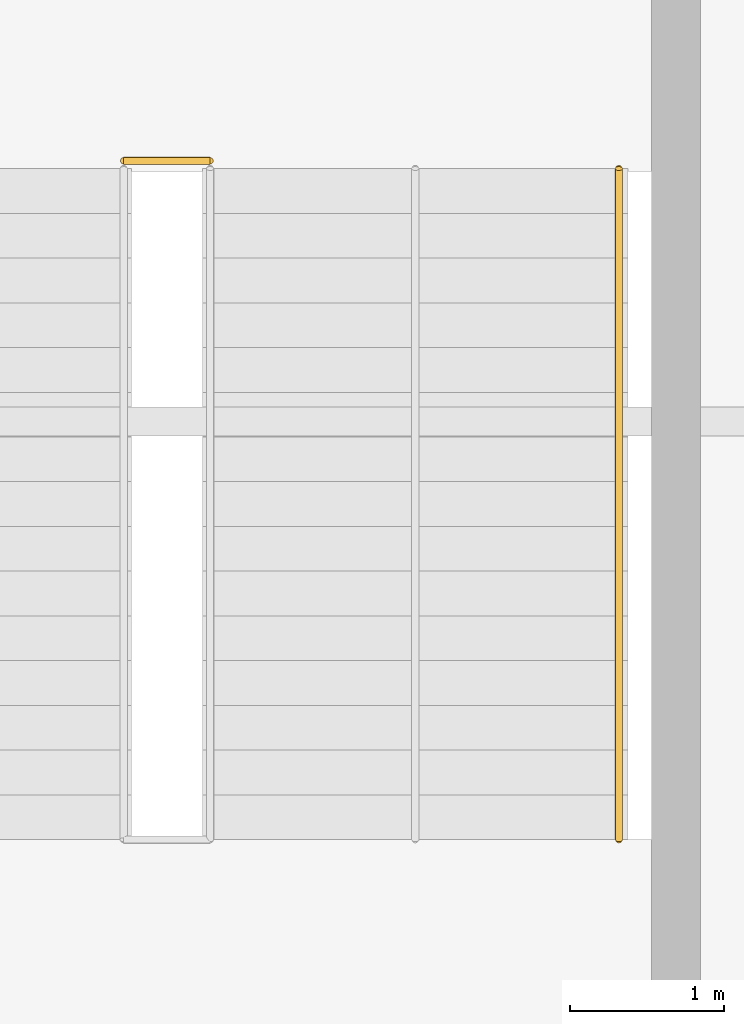
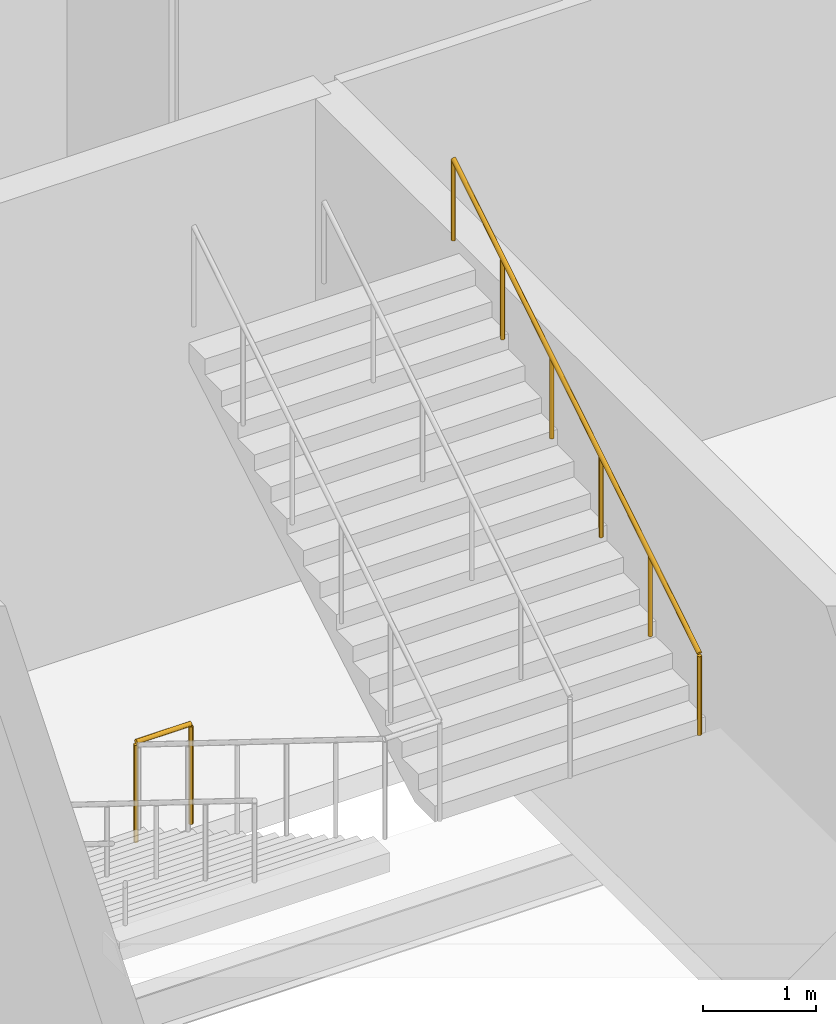
# One storey, part 109 of 111: 2 railings.
"""IFC4 building model written with IfcOpenShell, lengths in metres."""

from ifc_helpers import new_model, si_unit, direction, frame, origin, origin_2d, place, context, subcontext, project, spatial, circle, extrude, material, type_object, element, save


model = new_model("IFC4")

# Units and contexts
model_context = context("Model", 3, precision=1e-05, world=origin(), true_north=direction((0.0, 1.0)))
body_context = subcontext(model_context, "Body", "Model", "MODEL_VIEW")
ifc_project = project(units=[si_unit("LENGTHUNIT", "METRE"), si_unit("AREAUNIT", "SQUARE_METRE"), si_unit("VOLUMEUNIT", "CUBIC_METRE"), si_unit("PLANEANGLEUNIT", "RADIAN"), si_unit("MASSUNIT", "GRAM", prefix="KILO")], contexts=[model_context])

# Site, building, storey
site_placement = place(None, origin())
site = spatial("IfcSite", under=ifc_project, at=site_placement, CompositionType="ELEMENT")
building_placement = place(site_placement, origin())
building = spatial("IfcBuilding", under=site, at=building_placement, Name="Kisiwana Market Hall", CompositionType="ELEMENT")
storey_placement = place(building_placement, frame((0.0, 0.0, 11.39990234375)))
storey = spatial("IfcBuildingStorey", under=building, at=storey_placement, Name="L02", CompositionType="ELEMENT", Elevation=11.39990234375)

# Railings
ifc_material_1 = material(Name="Steel S275", Category="steel")
railing_type_1 = type_object("IfcRailingType", Name="RL-GUARD-1100", PredefinedType="GUARDRAIL", material=ifc_material_1)
railing_1_placement = place(storey_placement, frame((184.219970703125, 77.68994140625, 0.0)))
element("IfcRailing", 1, at=railing_1_placement, inside=storey, type_object=railing_type_1, Name="Stair ST-E4-L02 landing edge guardrail (RL-530)", PredefinedType="GUARDRAIL", context=body_context, shape_type="SweptSolid", body=[
    extrude(circle(Radius=0.02392578125, at=origin_2d()), frame((0.0, 0.0, 1.076171875), z_axis=(1.0, 0.0, 0.0), x_axis=(0.0, 1.0, 0.0)), (0.0, 0.0, 1.0), 0.56005859375),
    extrude(circle(Radius=0.02099609375, at=origin_2d()), origin(), (0.0, 0.0, 1.0), 1.052001953125),
    extrude(circle(Radius=0.02099609375, at=origin_2d()), frame((0.56005859375, 0.0, 0.0)), (0.0, 0.0, 1.0), 1.052001953125),
])
ifc_material_2 = material(Name="Steel S275", Category="steel")
railing_type_2 = type_object("IfcRailingType", Name="RL-HAND-900", PredefinedType="HANDRAIL", material=ifc_material_2)
railing_2_placement = place(storey_placement, frame((187.429931640625, 73.2900390625, 2.7001953125)))
element("IfcRailing", 2, at=railing_2_placement, inside=storey, type_object=railing_type_2, Name="Stair ST-E4-L02 flight 2 handrail (RL-527)", PredefinedType="HANDRAIL", context=body_context, shape_type="SweptSolid", body=[
    extrude(circle(Radius=0.02392578125, at=origin_2d()), frame((0.0, 0.0, 0.8759765625), z_axis=(0.0, 0.849636482215, 0.527368797038), x_axis=(-1.0, 0.0, 0.0)), (0.0, 0.0, 1.0), 5.11962890625),
    extrude(circle(Radius=0.02099609375, at=origin_2d()), origin(), (0.0, 0.0, 1.0), 0.851806640625),
    extrude(circle(Radius=0.02099609375, at=origin_2d()), frame((0.0, 0.869873046875, 0.5400390625)), (0.0, 0.0, 1.0), 0.851806640625),
    extrude(circle(Radius=0.02099609375, at=origin_2d()), frame((0.0, 1.739990234375, 1.080078125)), (0.0, 0.0, 1.0), 0.851806640625),
    extrude(circle(Radius=0.02099609375, at=origin_2d()), frame((0.0, 2.60986328125, 1.619873046875)), (0.0, 0.0, 1.0), 0.851806640625),
    extrude(circle(Radius=0.02099609375, at=origin_2d()), frame((0.0, 3.47998046875, 2.159912109375)), (0.0, 0.0, 1.0), 0.851806640625),
    extrude(circle(Radius=0.02099609375, at=origin_2d()), frame((0.0, 4.349853515625, 2.699951171875)), (0.0, 0.0, 1.0), 0.851806640625),
])

save(model, "model.ifc")
